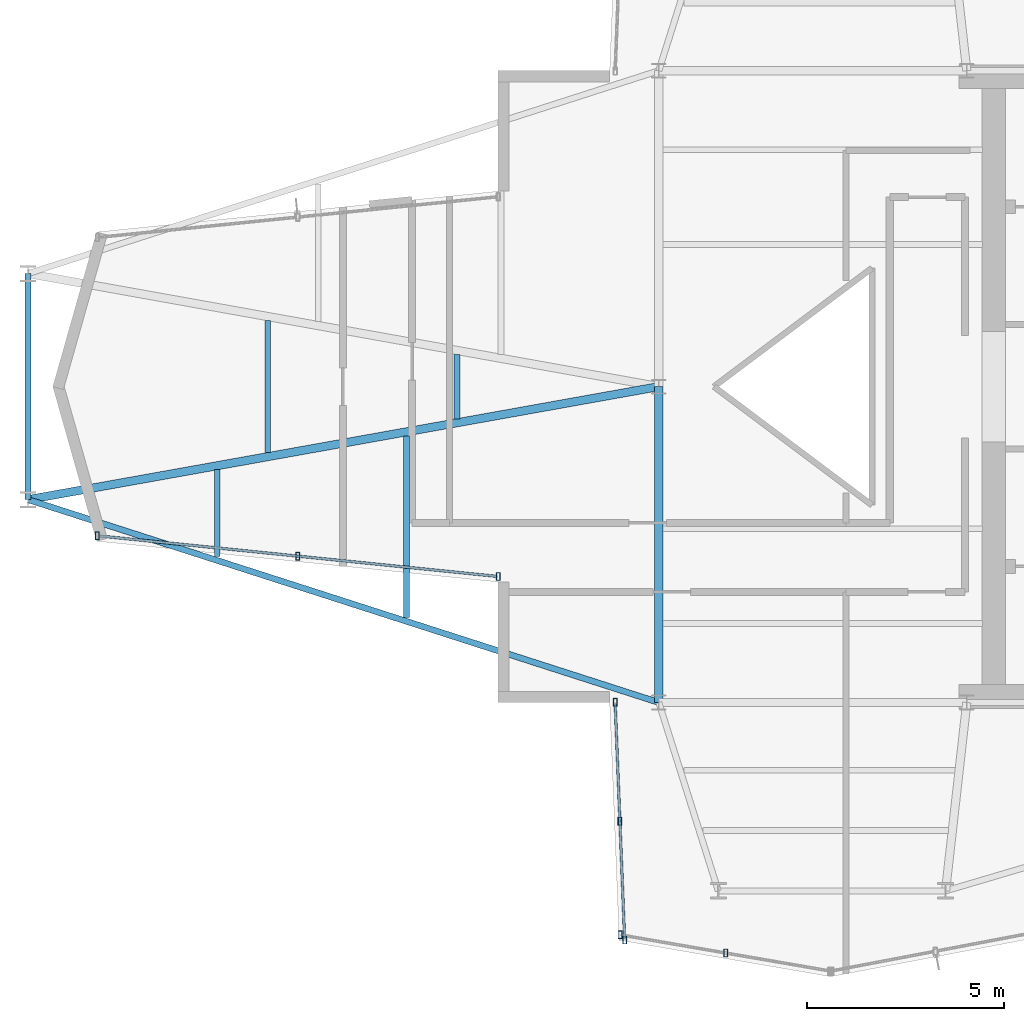
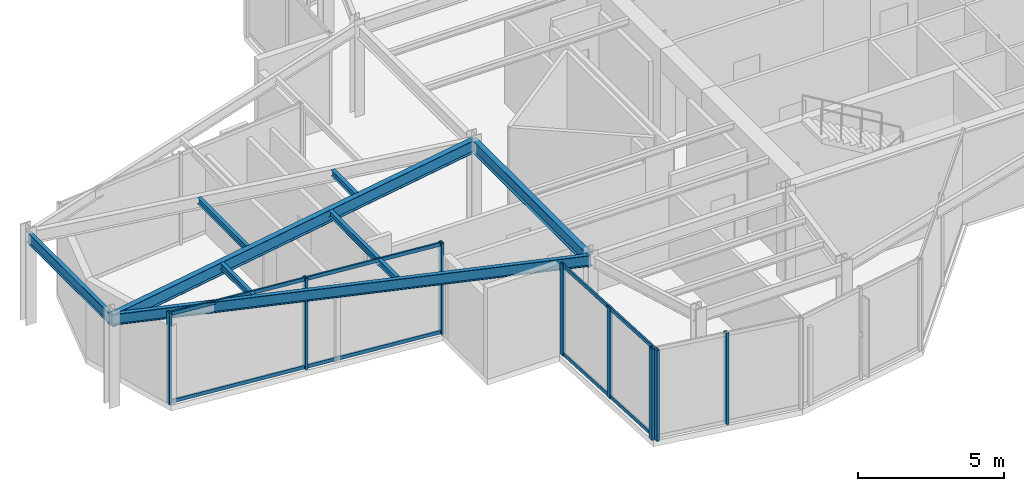
# One storey, part 2 of 15: 12 members, 8 beams, 3 elements without a shape of their own.
"""IFC4 building model written with IfcOpenShell, lengths in metres."""

from ifc_helpers import new_model, si_unit, direction, frame, origin, origin_2d, place, context, subcontext, project, spatial, hollow_rectangle, i_section, extrude, material, layer, layer_set, material_profile, profile_set, type_object, element, aggregate, save


model = new_model("IFC4")

# Units and contexts
model_context = context("Model", 3, precision=1e-05, world=origin(), true_north=direction((0.0, 1.0)))
body_context = subcontext(model_context, "Body", "Model", "MODEL_VIEW")
ifc_project = project(units=[si_unit("LENGTHUNIT", "METRE"), si_unit("AREAUNIT", "SQUARE_METRE"), si_unit("VOLUMEUNIT", "CUBIC_METRE"), si_unit("PLANEANGLEUNIT", "RADIAN"), si_unit("MASSUNIT", "GRAM", prefix="KILO")], contexts=[model_context])

# Site, building, storey
site_placement = place(None, origin())
site = spatial("IfcSite", under=ifc_project, at=site_placement, CompositionType="ELEMENT")
building_placement = place(site_placement, origin())
building = spatial("IfcBuilding", under=site, at=building_placement, Name="Veymaron Broadcast Tower", CompositionType="ELEMENT")
storey_placement = place(building_placement, frame((0.0, 0.0, 266.85009765625)))
storey = spatial("IfcBuildingStorey", under=building, at=storey_placement, Name="L62", CompositionType="ELEMENT", Elevation=266.85009765625)

# Beams
ifc_material_1 = material(Name="Structural steel ASTM A992 Gr 50", Category="steel")
ifc_material_profile_1 = material_profile(ifc_material_1, i_section(OverallWidth=0.208984375, OverallDepth=0.528076171875, WebThickness=0.009521484375, FlangeThickness=0.01318359375, at=origin_2d()), Name="W530X82")
ifc_profile_set_1 = profile_set([ifc_material_profile_1], Name="Structural steel ASTM A992 Gr 50")
beam_type_1 = type_object("IfcBeamType", Name="BM-FG4", PredefinedType="BEAM", material=ifc_profile_set_1)
beam_1_placement = place(storey_placement, frame((31.199951171875, 16.0, 3.5458984375), z_axis=(0.0, 1.0, 0.0), x_axis=(-1.0, 0.0, 0.0)))
element("IfcBeam", 1, at=beam_1_placement, inside=storey, type_object=beam_type_1, Name="L62 primary structural floor girder", PredefinedType="BEAM", context=body_context, shape_type="SweptSolid", body=[
    extrude(i_section(OverallWidth=0.208984375, OverallDepth=0.528076171875, WebThickness=0.009521484375, FlangeThickness=0.01318359375, at=origin_2d()), origin(), (0.0, 0.0, 1.0), 8.0),
])
beam_2_placement = place(storey_placement, frame((15.224365234375, 21.137939453125, 3.5458984375), z_axis=(0.98432849912, 0.176344565609, 0.0), x_axis=(-0.176344565609, 0.98432849912, 0.0)))
element("IfcBeam", 2, at=beam_2_placement, inside=storey, type_object=beam_type_1, Name="L62 primary structural floor girder", PredefinedType="BEAM", context=body_context, shape_type="SweptSolid", body=[
    extrude(i_section(OverallWidth=0.208984375, OverallDepth=0.528076171875, WebThickness=0.009521484375, FlangeThickness=0.01318359375, at=origin_2d()), origin(), (0.0, 0.0, 1.0), 16.22998046875),
])
ifc_material_profile_2 = material_profile(ifc_material_1, i_section(OverallWidth=0.14599609375, OverallDepth=0.258056640625, WebThickness=0.006103515625, FlangeThickness=0.009033203125, at=origin_2d()), Name="W250X33")
ifc_profile_set_2 = profile_set([ifc_material_profile_2], Name="Structural steel ASTM A992 Gr 50")
beam_type_2 = type_object("IfcBeamType", Name="BM-JS4", PredefinedType="JOIST", material=ifc_profile_set_2)
beam_3_placement = place(storey_placement, frame((20.01708984375, 19.696533203125, 3.680908203125), z_axis=(0.0, 1.0, 0.0), x_axis=(-1.0, 0.0, 0.0)))
element("IfcBeam", 3, at=beam_3_placement, inside=storey, type_object=beam_type_2, Name="L62 Arm-A secondary joist 1S", PredefinedType="JOIST", context=body_context, shape_type="SweptSolid", body=[
    extrude(i_section(OverallWidth=0.14599609375, OverallDepth=0.258056640625, WebThickness=0.006103515625, FlangeThickness=0.009033203125, at=origin_2d()), origin(), (0.0, 0.0, 1.0), 2.199951171875),
])
beam_4_placement = place(storey_placement, frame((21.295166015625, 22.32568359375, 3.680908203125), z_axis=(0.0, 1.0, 0.0), x_axis=(-1.0, 0.0, 0.0)))
element("IfcBeam", 4, at=beam_4_placement, inside=storey, type_object=beam_type_2, Name="L62 Arm-A secondary joist 1M", PredefinedType="JOIST", context=body_context, shape_type="SweptSolid", body=[
    extrude(i_section(OverallWidth=0.14599609375, OverallDepth=0.258056640625, WebThickness=0.006103515625, FlangeThickness=0.009033203125, at=origin_2d()), origin(), (0.0, 0.0, 1.0), 3.3486328125),
])
beam_5_placement = place(storey_placement, frame((24.809814453125, 18.1552734375, 3.680908203125), z_axis=(0.0, 1.0, 0.0), x_axis=(-1.0, 0.0, 0.0)))
element("IfcBeam", 5, at=beam_5_placement, inside=storey, type_object=beam_type_2, Name="L62 Arm-A secondary joist 2S", PredefinedType="JOIST", context=body_context, shape_type="SweptSolid", body=[
    extrude(i_section(OverallWidth=0.14599609375, OverallDepth=0.258056640625, WebThickness=0.006103515625, FlangeThickness=0.009033203125, at=origin_2d()), origin(), (0.0, 0.0, 1.0), 4.599853515625),
])
beam_6_placement = place(storey_placement, frame((26.087890625, 23.18408203125, 3.680908203125), z_axis=(0.0, 1.0, 0.0), x_axis=(-1.0, 0.0, 0.0)))
element("IfcBeam", 6, at=beam_6_placement, inside=storey, type_object=beam_type_2, Name="L62 Arm-A secondary joist 2M", PredefinedType="JOIST", context=body_context, shape_type="SweptSolid", body=[
    extrude(i_section(OverallWidth=0.14599609375, OverallDepth=0.258056640625, WebThickness=0.006103515625, FlangeThickness=0.009033203125, at=origin_2d()), origin(), (0.0, 0.0, 1.0), 1.6318359375),
])
ifc_material_profile_3 = material_profile(ifc_material_1, i_section(OverallWidth=0.154052734375, OverallDepth=0.458984375, WebThickness=0.009033203125, FlangeThickness=0.015380859375, at=origin_2d()), Name="W460X68")
ifc_profile_set_3 = profile_set([ifc_material_profile_3], Name="Structural steel ASTM A992 Gr 50")
beam_type_3 = type_object("IfcBeamType", Name="BM-SP2", PredefinedType="SPANDREL", material=ifc_profile_set_3)
beam_7_placement = place(storey_placement, frame((15.224365234375, 21.137939453125, 3.580322265625), z_axis=(0.951977688212, -0.306167407061, 0.0), x_axis=(0.306167407061, 0.951977688212, 0.0)))
element("IfcBeam", 7, at=beam_7_placement, inside=storey, type_object=beam_type_3, Name="L62 primary structural floor girder", PredefinedType="SPANDREL", context=body_context, shape_type="SweptSolid", body=[
    extrude(i_section(OverallWidth=0.154052734375, OverallDepth=0.458984375, WebThickness=0.009033203125, FlangeThickness=0.015380859375, at=origin_2d()), origin(), (0.0, 0.0, 1.0), 16.781494140625),
])
beam_8_placement = place(storey_placement, frame((15.224365234375, 21.137939453125, 3.580322265625), z_axis=(0.0, 1.0, 0.0), x_axis=(-1.0, 0.0, 0.0)))
element("IfcBeam", 8, at=beam_8_placement, inside=storey, type_object=beam_type_3, Name="L62 primary structural floor girder", PredefinedType="SPANDREL", context=body_context, shape_type="SweptSolid", body=[
    extrude(i_section(OverallWidth=0.154052734375, OverallDepth=0.458984375, WebThickness=0.009033203125, FlangeThickness=0.015380859375, at=origin_2d()), origin(), (0.0, 0.0, 1.0), 5.72412109375),
])

# Curtain wall, members
ifc_material_2 = material(Name="Anodised aluminium AA 6063-T6 and laminated low-E dark glass", Category="aluminium")
ifc_layer = layer(ifc_material_2, 0.179931640625)
ifc_layer_set = layer_set([ifc_layer], Name="Anodised aluminium AA 6063-T6 and laminated low-E dark glass")
curtain_wall_type = type_object("IfcCurtainWallType", Name="CW-SYS-06", PredefinedType="NOTDEFINED", material=ifc_layer_set)
curtain_wall_1_placement = place(storey_placement, origin())
curtain_wall_1 = element("IfcCurtainWall", 9, at=curtain_wall_1_placement, inside=storey, type_object=curtain_wall_type, Name="L62 dark-glass curtain wall CW-L62-E14-1", PredefinedType="NOTDEFINED")
ifc_material_3 = material(Name="Anodised aluminium AA 6063-T6", Category="aluminium")
ifc_material_profile_4 = material_profile(ifc_material_3, hollow_rectangle(XDim=0.10009765625, YDim=0.199951171875, WallThickness=0.010009765625, at=origin_2d()), Name="RHS200X100X10")
ifc_profile_set_4 = profile_set([ifc_material_profile_4], Name="Anodised aluminium AA 6063-T6")
member_type_1 = type_object("IfcMemberType", Name="CW-MUL-01", PredefinedType="MULLION", material=ifc_profile_set_4)
member_1_placement = place(storey_placement, frame((16.97412109375, 20.2236328125, 0.0), z_axis=(0.0, 0.0, 1.0), x_axis=(1.0, 0.0, 0.0)))
member_1 = element("IfcMember", 10, at=member_1_placement, type_object=member_type_1, Name="CW-L62-E14-1 mullion 0", PredefinedType="MULLION", context=body_context, shape_type="SweptSolid", body=[
    extrude(hollow_rectangle(XDim=0.10009765625, YDim=0.199951171875, WallThickness=0.010009765625, at=origin_2d()), origin(), (0.0, 0.0, 1.0), 3.809814453125),
])
member_2_placement = place(storey_placement, frame((22.054931640625, 19.70703125, 0.0), z_axis=(0.0, 0.0, 1.0), x_axis=(1.0, 0.0, 0.0)))
member_2 = element("IfcMember", 11, at=member_2_placement, type_object=member_type_1, Name="CW-L62-E14-1 mullion 1", PredefinedType="MULLION", context=body_context, shape_type="SweptSolid", body=[
    extrude(hollow_rectangle(XDim=0.10009765625, YDim=0.199951171875, WallThickness=0.010009765625, at=origin_2d()), origin(), (0.0, 0.0, 1.0), 3.809814453125),
])
member_3_placement = place(storey_placement, frame((27.1357421875, 19.1904296875, 0.0), z_axis=(0.0, 0.0, 1.0), x_axis=(1.0, 0.0, 0.0)))
member_3 = element("IfcMember", 12, at=member_3_placement, type_object=member_type_1, Name="CW-L62-E14-1 mullion 2", PredefinedType="MULLION", context=body_context, shape_type="SweptSolid", body=[
    extrude(hollow_rectangle(XDim=0.10009765625, YDim=0.199951171875, WallThickness=0.010009765625, at=origin_2d()), origin(), (0.0, 0.0, 1.0), 3.809814453125),
])

curtain_wall_2_placement = place(storey_placement, origin())
curtain_wall_2 = element("IfcCurtainWall", 13, at=curtain_wall_2_placement, inside=storey, type_object=curtain_wall_type, Name="L62 dark-glass curtain wall CW-L62-E17-1", PredefinedType="NOTDEFINED")
member_4_placement = place(storey_placement, frame((30.093505859375, 16.005615234375, 0.0), z_axis=(0.0, 0.0, 1.0), x_axis=(1.0, 0.0, 0.0)))
member_4 = element("IfcMember", 14, at=member_4_placement, type_object=member_type_1, Name="CW-L62-E17-1 mullion 0", PredefinedType="MULLION", context=body_context, shape_type="SweptSolid", body=[
    extrude(hollow_rectangle(XDim=0.10009765625, YDim=0.199951171875, WallThickness=0.010009765625, at=origin_2d()), origin(), (0.0, 0.0, 1.0), 3.809814453125),
])
member_5_placement = place(storey_placement, frame((30.214111328125, 12.9951171875, 0.0), z_axis=(0.0, 0.0, 1.0), x_axis=(1.0, 0.0, 0.0)))
member_5 = element("IfcMember", 15, at=member_5_placement, type_object=member_type_1, Name="CW-L62-E17-1 mullion 1", PredefinedType="MULLION", context=body_context, shape_type="SweptSolid", body=[
    extrude(hollow_rectangle(XDim=0.10009765625, YDim=0.199951171875, WallThickness=0.010009765625, at=origin_2d()), origin(), (0.0, 0.0, 1.0), 3.809814453125),
])
member_6_placement = place(storey_placement, frame((30.3349609375, 9.984375, 0.0), z_axis=(0.0, 0.0, 1.0), x_axis=(1.0, 0.0, 0.0)))
member_6 = element("IfcMember", 16, at=member_6_placement, type_object=member_type_1, Name="CW-L62-E17-1 mullion 2", PredefinedType="MULLION", context=body_context, shape_type="SweptSolid", body=[
    extrude(hollow_rectangle(XDim=0.10009765625, YDim=0.199951171875, WallThickness=0.010009765625, at=origin_2d()), origin(), (0.0, 0.0, 1.0), 3.809814453125),
])

curtain_wall_3_placement = place(storey_placement, origin())
curtain_wall_3 = element("IfcCurtainWall", 17, at=curtain_wall_3_placement, inside=storey, type_object=curtain_wall_type, Name="L62 dark-glass curtain wall CW-L62-E18-1", PredefinedType="NOTDEFINED")
member_7_placement = place(storey_placement, frame((30.21875, 10.11669921875, 0.0), z_axis=(0.0, 0.0, 1.0), x_axis=(1.0, 0.0, 0.0)))
member_7 = element("IfcMember", 18, at=member_7_placement, type_object=member_type_1, Name="CW-L62-E18-1 mullion 0", PredefinedType="MULLION", context=body_context, shape_type="SweptSolid", body=[
    extrude(hollow_rectangle(XDim=0.10009765625, YDim=0.199951171875, WallThickness=0.010009765625, at=origin_2d()), origin(), (0.0, 0.0, 1.0), 3.809814453125),
])
member_8_placement = place(storey_placement, frame((32.89794921875, 9.65478515625, 0.0), z_axis=(0.0, 0.0, 1.0), x_axis=(1.0, 0.0, 0.0)))
member_8 = element("IfcMember", 19, at=member_8_placement, type_object=member_type_1, Name="CW-L62-E18-1 mullion 1", PredefinedType="MULLION", context=body_context, shape_type="SweptSolid", body=[
    extrude(hollow_rectangle(XDim=0.10009765625, YDim=0.199951171875, WallThickness=0.010009765625, at=origin_2d()), origin(), (0.0, 0.0, 1.0), 3.809814453125),
])
aggregate(curtain_wall_3, [member_7, member_8])

# Member
ifc_material_profile_5 = material_profile(ifc_material_3, hollow_rectangle(XDim=0.06494140625, YDim=0.14990234375, WallThickness=0.00390625, at=origin_2d()), Name="AL150X65X4")
ifc_profile_set_5 = profile_set([ifc_material_profile_5], Name="Anodised aluminium AA 6063-T6")
member_type_2 = type_object("IfcMemberType", Name="CW-TRN-01", PredefinedType="USERDEFINED", material=ifc_profile_set_5)
member_9_placement = place(storey_placement, frame((17.02392578125, 20.218505859375, 0.06982421875), z_axis=(0.994872131197, -0.101140706775, 0.0), x_axis=(0.101140706775, 0.994872131197, 0.0)))
member_9 = element("IfcMember", 20, at=member_9_placement, type_object=member_type_2, Name="CW-L62-E14-1 transom B", ObjectType="TRANSOM", PredefinedType="USERDEFINED", context=body_context, shape_type="SweptSolid", body=[
    extrude(hollow_rectangle(XDim=0.06494140625, YDim=0.14990234375, WallThickness=0.00390625, at=origin_2d()), origin(), (0.0, 0.0, 1.0), 10.114013671875),
])

member_10_placement = place(storey_placement, frame((17.02392578125, 20.218505859375, 3.739990234375), z_axis=(0.994872131197, -0.101140706775, 0.0), x_axis=(0.101140706775, 0.994872131197, 0.0)))
member_10 = element("IfcMember", 21, at=member_10_placement, type_object=member_type_2, Name="CW-L62-E14-1 transom T", ObjectType="TRANSOM", PredefinedType="USERDEFINED", context=body_context, shape_type="SweptSolid", body=[
    extrude(hollow_rectangle(XDim=0.06494140625, YDim=0.14990234375, WallThickness=0.00390625, at=origin_2d()), origin(), (0.0, 0.0, 1.0), 10.114013671875),
])

aggregate(curtain_wall_1, [member_1, member_2, member_3, member_9, member_10])

member_11_placement = place(storey_placement, frame((30.095703125, 15.95556640625, 0.06982421875), z_axis=(0.040045368506, -0.999197862518, 0.0), x_axis=(0.999197862518, 0.040045368506, 0.0)))
member_11 = element("IfcMember", 22, at=member_11_placement, type_object=member_type_2, Name="CW-L62-E17-1 transom B", ObjectType="TRANSOM", PredefinedType="USERDEFINED", context=body_context, shape_type="SweptSolid", body=[
    extrude(hollow_rectangle(XDim=0.06494140625, YDim=0.14990234375, WallThickness=0.00390625, at=origin_2d()), origin(), (0.0, 0.0, 1.0), 5.92578125),
])

member_12_placement = place(storey_placement, frame((30.095703125, 15.95556640625, 3.739990234375), z_axis=(0.040045368506, -0.999197862518, 0.0), x_axis=(0.999197862518, 0.040045368506, 0.0)))
member_12 = element("IfcMember", 23, at=member_12_placement, type_object=member_type_2, Name="CW-L62-E17-1 transom T", ObjectType="TRANSOM", PredefinedType="USERDEFINED", context=body_context, shape_type="SweptSolid", body=[
    extrude(hollow_rectangle(XDim=0.06494140625, YDim=0.14990234375, WallThickness=0.00390625, at=origin_2d()), origin(), (0.0, 0.0, 1.0), 5.92578125),
])

aggregate(curtain_wall_2, [member_4, member_5, member_6, member_11, member_12])

save(model, "model.ifc")
